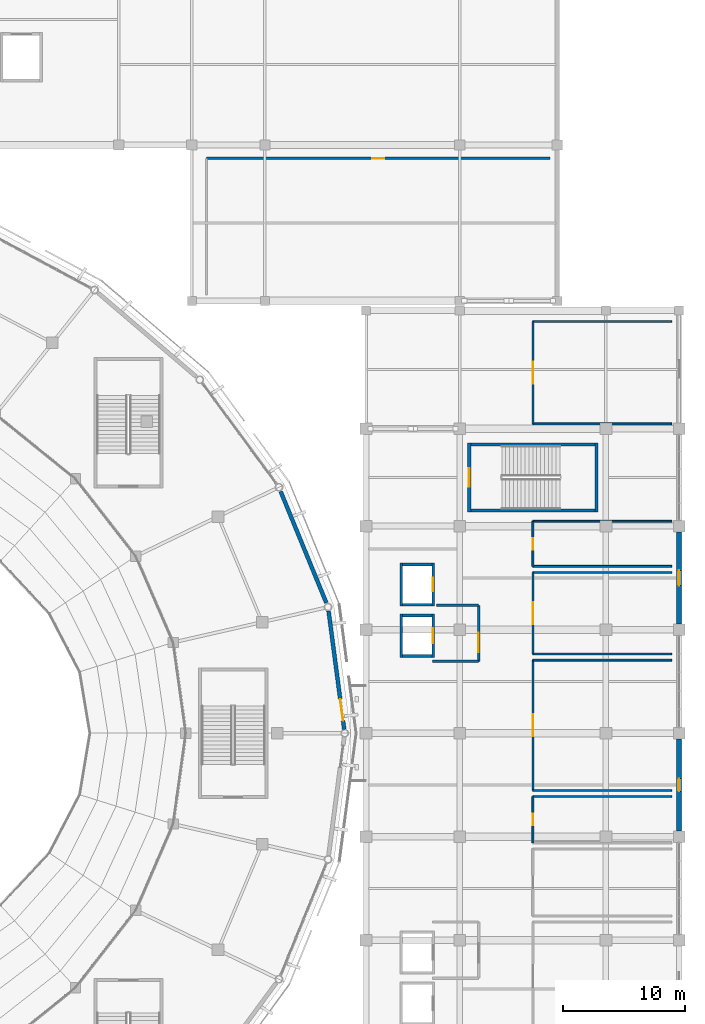
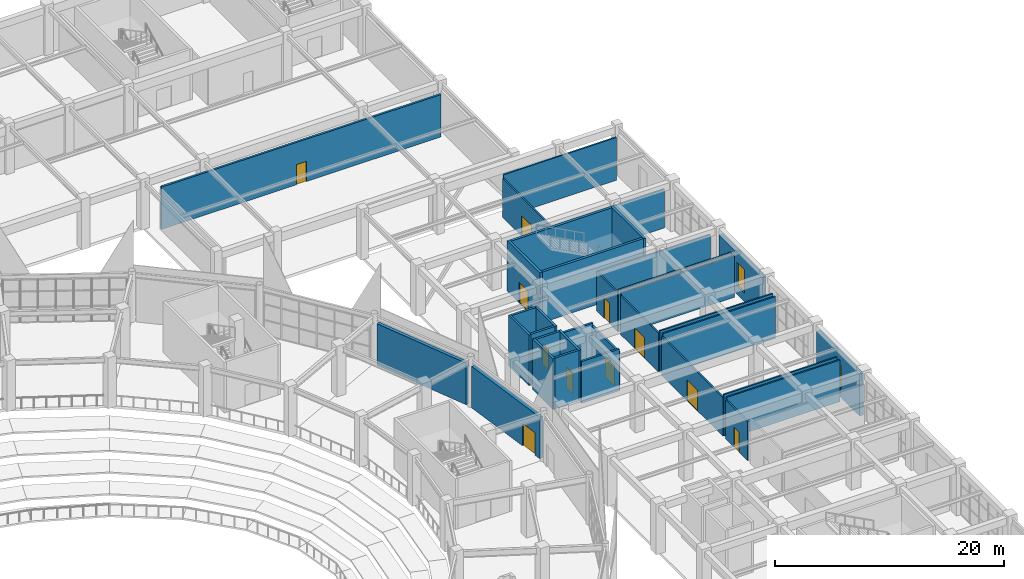
# One storey, part 82 of 120: 34 walls, 11 doors, 2 windows, 13 openings.
"""IFC4 building model written with IfcOpenShell, lengths in metres."""

from ifc_helpers import new_model, si_unit, direction, frame, frame_2d, origin, place, context, subcontext, project, spatial, rectangle, extrude, material, layer, layer_set, type_object, element, fill, save


model = new_model("IFC4")

# Units and contexts
model_context = context("Model", 3, precision=1e-05, world=origin(), true_north=direction((0.0, 1.0)))
body_context = subcontext(model_context, "Body", "Model", "MODEL_VIEW")
ifc_project = project(units=[si_unit("LENGTHUNIT", "METRE"), si_unit("AREAUNIT", "SQUARE_METRE"), si_unit("VOLUMEUNIT", "CUBIC_METRE"), si_unit("PLANEANGLEUNIT", "RADIAN"), si_unit("MASSUNIT", "GRAM", prefix="KILO")], contexts=[model_context])

# Site, building, storey
site_placement = place(None, origin())
site = spatial("IfcSite", under=ifc_project, at=site_placement, CompositionType="ELEMENT")
building_placement = place(site_placement, origin())
building = spatial("IfcBuilding", under=site, at=building_placement, Name="Cuetzalor Civic Arena", CompositionType="ELEMENT")
storey_placement = place(building_placement, frame((0.0, 0.0, 6.0)))
storey = spatial("IfcBuildingStorey", under=building, at=storey_placement, Name="L01", CompositionType="ELEMENT", Elevation=6.0)

# Wall
ifc_material_1 = material(Name="Acoustic steel-stud gypsum partition", Category="steel")
ifc_layer_1 = layer(ifc_material_1, 0.14990234375)
ifc_layer_set_1 = layer_set([ifc_layer_1], Name="Acoustic steel-stud gypsum partition")
wall_type_1 = type_object("IfcWallType", Name="AcousticGypsumPartition_150", PredefinedType="PARTITIONING", material=ifc_layer_set_1)
wall_1_placement = place(storey_placement, frame((70.0, -5.199951171875, 0.0), z_axis=(0.0, 0.0, 1.0), x_axis=(1.0, 0.0, 0.0)))
element("IfcWall", 1, at=wall_1_placement, inside=storey, type_object=wall_type_1, Name="Interior Partition IWALL:L01:0222", PredefinedType="PARTITIONING", context=body_context, shape_type="SweptSolid", body=[
    extrude(rectangle(XDim=11.39990234375, YDim=0.14990234375, at=frame_2d((5.699951171875, 0.0))), origin(), (0.0, 0.0, 1.0), 4.445068359375),
])

# Wall, opening, door
wall_2_placement = place(storey_placement, frame((70.0, -9.0, 0.0), z_axis=(0.0, 0.0, 1.0), x_axis=(0.0, 1.0, 0.0)))
wall_2 = element("IfcWall", 2, at=wall_2_placement, inside=storey, type_object=wall_type_1, Name="Interior Partition IWALL:L01:0224", PredefinedType="PARTITIONING", context=body_context, shape_type="SweptSolid", body=[
    extrude(rectangle(XDim=3.800048828125, YDim=0.14990234375, at=frame_2d((1.89990234375, 0.0))), origin(), (0.0, 0.0, 1.0), 4.14501953125),
])
opening_1_placement = place(wall_2_placement, frame((1.425048828125, 0.0, 0.0)))
opening_1 = element("IfcOpeningElement", 3, at=opening_1_placement, cuts=wall_2, Name="Opening ID-03", PredefinedType="OPENING", context=body_context, shape_type="SweptSolid", body=[
    extrude(rectangle(XDim=0.949951171875, YDim=2.14990234375, at=frame_2d((0.47509765625, 1.074951171875))), frame((0.0, 0.0849609375, 0.0), z_axis=(0.0, -1.0, 0.0), x_axis=(1.0, 0.0, 0.0)), (0.0, 0.0, 1.0), 0.169921875),
])
ifc_material_2 = material(Name="Painted steel frame and solid timber leaf", Category="steel")
door_type_1 = type_object("IfcDoorType", Name="InteriorSingleDoor_950x2150", OperationType="NOTDEFINED", PredefinedType="DOOR", material=ifc_material_2)
door_1_placement = place(opening_1_placement, origin())
door_1 = element("IfcDoor", 4, at=door_1_placement, inside=storey, type_object=door_type_1, Name="Door to Accessible WC East South L01", OperationType="SINGLE_SWING_LEFT", OverallHeight=2.14990234375, OverallWidth=0.949951171875, PredefinedType="DOOR", context=body_context, shape_type="SweptSolid", body=[
    extrude(rectangle(XDim=0.949951171875, YDim=2.14990234375, at=frame_2d((0.47509765625, 1.074951171875))), frame((0.0, 0.02490234375, 0.0), z_axis=(0.0, -1.0, 0.0), x_axis=(1.0, 0.0, 0.0)), (0.0, 0.0, 1.0), 0.050048828125),
])
fill(opening_1, door_1)

# Walls
for number, where, z_axis, x_axis, name in (
    (5, (70.0, 6.0, 0.0), (0.0, 0.0, 1.0), (1.0, 0.0, 0.0), "Interior Partition IWALL:L01:0225"),
    (6, (81.39990234375, -4.699951171875, 0.0), (0.0, 0.0, 1.0), (-1.0, 0.0, 0.0), "Interior Partition IWALL:L01:0226"),
):
    element("IfcWall", number, at=place(storey_placement, frame(where, z_axis=z_axis, x_axis=x_axis)), inside=storey, type_object=wall_type_1, Name=name, PredefinedType="PARTITIONING", context=body_context, shape_type="SweptSolid", body=[
        extrude(rectangle(XDim=11.39990234375, YDim=0.14990234375, at=frame_2d((5.699951171875, 0.0))), origin(), (0.0, 0.0, 1.0), 4.445068359375),
    ])

# Wall, opening, door
wall_3_placement = place(storey_placement, frame((70.0, -4.699951171875, 0.0), z_axis=(0.0, 0.0, 1.0), x_axis=(0.0, 1.0, 0.0)))
wall_3 = element("IfcWall", 7, at=wall_3_placement, inside=storey, type_object=wall_type_1, Name="Interior Partition IWALL:L01:0227", PredefinedType="PARTITIONING", context=body_context, shape_type="SweptSolid", body=[
    extrude(rectangle(XDim=10.699951171875, YDim=0.14990234375, at=frame_2d((5.35009765625, 0.0))), origin(), (0.0, 0.0, 1.0), 4.14501953125),
])
opening_2_placement = place(wall_3_placement, frame((4.449951171875, 0.0, 0.0)))
opening_2 = element("IfcOpeningElement", 8, at=opening_2_placement, cuts=wall_3, Name="Opening ID-06", PredefinedType="OPENING", context=body_context, shape_type="SweptSolid", body=[
    extrude(rectangle(XDim=1.800048828125, YDim=2.199951171875, at=frame_2d((0.89990234375, 1.10009765625))), frame((0.0, 0.0849609375, 0.0), z_axis=(0.0, -1.0, 0.0), x_axis=(1.0, 0.0, 0.0)), (0.0, 0.0, 1.0), 0.169921875),
])
ifc_material_3 = material(Name="Glazed bronze acoustic double door", Category="metal")
door_type_2 = type_object("IfcDoorType", Name="PublicDoubleDoor_1800x2200", OperationType="DOUBLE_DOOR_SINGLE_SWING", PredefinedType="DOOR", material=ifc_material_3)
door_2_placement = place(opening_2_placement, origin())
door_2 = element("IfcDoor", 9, at=door_2_placement, inside=storey, type_object=door_type_2, Name="Door to Hospitality Club Lounge East L01", OperationType="DOUBLE_DOOR_SINGLE_SWING", OverallHeight=2.199951171875, OverallWidth=1.800048828125, PredefinedType="DOOR", context=body_context, shape_type="SweptSolid", body=[
    extrude(rectangle(XDim=1.800048828125, YDim=2.199951171875, at=frame_2d((0.89990234375, 1.10009765625))), frame((0.0, 0.02490234375, 0.0), z_axis=(0.0, -1.0, 0.0), x_axis=(1.0, 0.0, 0.0)), (0.0, 0.0, 1.0), 0.050048828125),
])
fill(opening_2, door_2)

# Walls
for number, where, z_axis, x_axis, name in (
    (10, (70.0, 13.199951171875, 0.0), (0.0, 0.0, 1.0), (1.0, 0.0, 0.0), "Interior Partition IWALL:L01:0228"),
    (11, (81.39990234375, 6.5, 0.0), (0.0, 0.0, 1.0), (-1.0, 0.0, 0.0), "Interior Partition IWALL:L01:0229"),
):
    element("IfcWall", number, at=place(storey_placement, frame(where, z_axis=z_axis, x_axis=x_axis)), inside=storey, type_object=wall_type_1, Name=name, PredefinedType="PARTITIONING", context=body_context, shape_type="SweptSolid", body=[
        extrude(rectangle(XDim=11.39990234375, YDim=0.14990234375, at=frame_2d((5.699951171875, 0.0))), origin(), (0.0, 0.0, 1.0), 4.445068359375),
    ])

# Wall, opening, door
wall_4_placement = place(storey_placement, frame((70.0, 6.5, 0.0), z_axis=(0.0, 0.0, 1.0), x_axis=(0.0, 1.0, 0.0)))
wall_4 = element("IfcWall", 12, at=wall_4_placement, inside=storey, type_object=wall_type_1, Name="Interior Partition IWALL:L01:0230", PredefinedType="PARTITIONING", context=body_context, shape_type="SweptSolid", body=[
    extrude(rectangle(XDim=6.699951171875, YDim=0.14990234375, at=frame_2d((3.35009765625, 0.0))), origin(), (0.0, 0.0, 1.0), 4.14501953125),
])
opening_3_placement = place(wall_4_placement, frame((2.449951171875, 0.0, 0.0)))
opening_3 = element("IfcOpeningElement", 13, at=opening_3_placement, cuts=wall_4, Name="Opening ID-06", PredefinedType="OPENING", context=body_context, shape_type="SweptSolid", body=[
    extrude(rectangle(XDim=1.800048828125, YDim=2.199951171875, at=frame_2d((0.89990234375, 1.10009765625))), frame((0.0, 0.0849609375, 0.0), z_axis=(0.0, -1.0, 0.0), x_axis=(1.0, 0.0, 0.0)), (0.0, 0.0, 1.0), 0.169921875),
])
door_3_placement = place(opening_3_placement, origin())
door_3 = element("IfcDoor", 14, at=door_3_placement, inside=storey, type_object=door_type_2, Name="Door to Concessions Hall East North L01", OperationType="DOUBLE_DOOR_SINGLE_SWING", OverallHeight=2.199951171875, OverallWidth=1.800048828125, PredefinedType="DOOR", context=body_context, shape_type="SweptSolid", body=[
    extrude(rectangle(XDim=1.800048828125, YDim=2.199951171875, at=frame_2d((0.89990234375, 1.10009765625))), frame((0.0, 0.02490234375, 0.0), z_axis=(0.0, -1.0, 0.0), x_axis=(1.0, 0.0, 0.0)), (0.0, 0.0, 1.0), 0.050048828125),
])
fill(opening_3, door_3)

# Walls
wall_5_placement = place(storey_placement, frame((70.0, 17.39990234375, 0.0), z_axis=(0.0, 0.0, 1.0), x_axis=(1.0, 0.0, 0.0)))
element("IfcWall", 15, at=wall_5_placement, inside=storey, type_object=wall_type_1, Name="Interior Partition IWALL:L01:0231", PredefinedType="PARTITIONING", context=body_context, shape_type="SweptSolid", body=[
    extrude(rectangle(XDim=11.39990234375, YDim=0.14990234375, at=frame_2d((5.699951171875, 0.0))), origin(), (0.0, 0.0, 1.0), 4.14501953125),
])
wall_6_placement = place(storey_placement, frame((81.39990234375, 13.699951171875, 0.0), z_axis=(0.0, 0.0, 1.0), x_axis=(-1.0, 0.0, 0.0)))
element("IfcWall", 16, at=wall_6_placement, inside=storey, type_object=wall_type_1, Name="Interior Partition IWALL:L01:0232", PredefinedType="PARTITIONING", context=body_context, shape_type="SweptSolid", body=[
    extrude(rectangle(XDim=11.39990234375, YDim=0.14990234375, at=frame_2d((5.699951171875, 0.0))), origin(), (0.0, 0.0, 1.0), 4.445068359375),
])

# Wall, opening, door
wall_7_placement = place(storey_placement, frame((70.0, 13.699951171875, 0.0), z_axis=(0.0, 0.0, 1.0), x_axis=(0.0, 1.0, 0.0)))
wall_7 = element("IfcWall", 17, at=wall_7_placement, inside=storey, type_object=wall_type_1, Name="Interior Partition IWALL:L01:0233", PredefinedType="PARTITIONING", context=body_context, shape_type="SweptSolid", body=[
    extrude(rectangle(XDim=3.699951171875, YDim=0.14990234375, at=frame_2d((1.85009765625, 0.0))), origin(), (0.0, 0.0, 1.0), 4.14501953125),
])
opening_4_placement = place(wall_7_placement, frame((1.375, 0.0, 0.0)))
opening_4 = element("IfcOpeningElement", 18, at=opening_4_placement, cuts=wall_7, Name="Opening ID-03", PredefinedType="OPENING", context=body_context, shape_type="SweptSolid", body=[
    extrude(rectangle(XDim=0.949951171875, YDim=2.14990234375, at=frame_2d((0.47509765625, 1.074951171875))), frame((0.0, 0.0849609375, 0.0), z_axis=(0.0, -1.0, 0.0), x_axis=(1.0, 0.0, 0.0)), (0.0, 0.0, 1.0), 0.169921875),
])
door_4_placement = place(opening_4_placement, origin())
door_4 = element("IfcDoor", 19, at=door_4_placement, inside=storey, type_object=door_type_1, Name="Door to Public Restroom East North L01", OperationType="SINGLE_SWING_RIGHT", OverallHeight=2.14990234375, OverallWidth=0.949951171875, PredefinedType="DOOR", context=body_context, shape_type="SweptSolid", body=[
    extrude(rectangle(XDim=0.949951171875, YDim=2.14990234375, at=frame_2d((0.47509765625, 1.074951171875))), frame((0.0, 0.02490234375, 0.0), z_axis=(0.0, -1.0, 0.0), x_axis=(1.0, 0.0, 0.0)), (0.0, 0.0, 1.0), 0.050048828125),
])
fill(opening_4, door_4)

# Walls
wall_8_placement = place(storey_placement, frame((70.0, 33.800048828125, 0.0), z_axis=(0.0, 0.0, 1.0), x_axis=(1.0, 0.0, 0.0)))
element("IfcWall", 20, at=wall_8_placement, inside=storey, type_object=wall_type_1, Name="Interior Partition IWALL:L01:0234", PredefinedType="PARTITIONING", context=body_context, shape_type="SweptSolid", body=[
    extrude(rectangle(XDim=11.39990234375, YDim=0.14990234375, at=frame_2d((5.699951171875, 0.0))), origin(), (0.0, 0.0, 1.0), 4.56201171875),
])
wall_9_placement = place(storey_placement, frame((81.39990234375, 25.39990234375, 0.0), z_axis=(0.0, 0.0, 1.0), x_axis=(-1.0, 0.0, 0.0)))
element("IfcWall", 21, at=wall_9_placement, inside=storey, type_object=wall_type_1, Name="Interior Partition IWALL:L01:0235", PredefinedType="PARTITIONING", context=body_context, shape_type="SweptSolid", body=[
    extrude(rectangle(XDim=11.39990234375, YDim=0.14990234375, at=frame_2d((5.699951171875, 0.0))), origin(), (0.0, 0.0, 1.0), 4.14501953125),
])

# Wall, opening, door
wall_10_placement = place(storey_placement, frame((70.0, 25.39990234375, 0.0), z_axis=(0.0, 0.0, 1.0), x_axis=(0.0, 1.0, 0.0)))
wall_10 = element("IfcWall", 22, at=wall_10_placement, inside=storey, type_object=wall_type_1, Name="Interior Partition IWALL:L01:0236", PredefinedType="PARTITIONING", context=body_context, shape_type="SweptSolid", body=[
    extrude(rectangle(XDim=8.400146484375, YDim=0.14990234375, at=frame_2d((4.2001953125, 0.0))), origin(), (0.0, 0.0, 1.0), 4.14501953125),
])
opening_5_placement = place(wall_10_placement, frame((3.300048828125, 0.0, 0.0)))
opening_5 = element("IfcOpeningElement", 23, at=opening_5_placement, cuts=wall_10, Name="Opening ID-06", PredefinedType="OPENING", context=body_context, shape_type="SweptSolid", body=[
    extrude(rectangle(XDim=1.800048828125, YDim=2.199951171875, at=frame_2d((0.89990234375, 1.10009765625))), frame((0.0, 0.0849609375, 0.0), z_axis=(0.0, -1.0, 0.0), x_axis=(1.0, 0.0, 0.0)), (0.0, 0.0, 1.0), 0.169921875),
])
door_5_placement = place(opening_5_placement, origin())
door_5 = element("IfcDoor", 24, at=door_5_placement, inside=storey, type_object=door_type_2, Name="Door to VIP Salon East North L01", OperationType="DOUBLE_DOOR_SINGLE_SWING", OverallHeight=2.199951171875, OverallWidth=1.800048828125, PredefinedType="DOOR", context=body_context, shape_type="SweptSolid", body=[
    extrude(rectangle(XDim=1.800048828125, YDim=2.199951171875, at=frame_2d((0.89990234375, 1.10009765625))), frame((0.0, 0.02490234375, 0.0), z_axis=(0.0, -1.0, 0.0), x_axis=(1.0, 0.0, 0.0)), (0.0, 0.0, 1.0), 0.050048828125),
])
fill(opening_5, door_5)

ifc_material_4 = material(Name="Concrete C40/50", Category="concrete")
ifc_layer_2 = layer(ifc_material_4, 0.25)
ifc_layer_set_2 = layer_set([ifc_layer_2], Name="Concrete C40/50")
wall_type_2 = type_object("IfcWallType", Name="ConcreteCoreShearWall_250", PredefinedType="SHEAR", material=ifc_layer_set_2)
wall_11_placement = place(storey_placement, frame((64.77490234375, 18.14990234375, 0.0), z_axis=(0.0, 0.0, 1.0), x_axis=(0.0, 1.0, 0.0)))
wall_11 = element("IfcWall", 25, at=wall_11_placement, inside=storey, type_object=wall_type_2, Name="Stair Core Shear Wall ST-22-L01-W", PredefinedType="SHEAR", context=body_context, shape_type="SweptSolid", body=[
    extrude(rectangle(XDim=5.7001953125, YDim=0.25, at=frame_2d((2.85009765625, 0.0))), origin(), (0.0, 0.0, 1.0), 5.39990234375),
])
opening_6_placement = place(wall_11_placement, frame((2.10009765625, 0.0, 0.0)))
opening_6 = element("IfcOpeningElement", 26, at=opening_6_placement, cuts=wall_11, Name="Opening FD-03", PredefinedType="OPENING", context=body_context, shape_type="SweptSolid", body=[
    extrude(rectangle(XDim=1.5, YDim=2.199951171875, at=frame_2d((0.75, 1.10009765625))), frame((0.0, 0.135009765625, 0.0), z_axis=(0.0, -1.0, 0.0), x_axis=(1.0, 0.0, 0.0)), (0.0, 0.0, 1.0), 0.27001953125),
])
ifc_material_5 = material(Name="Fire-rated steel stair exit double door", Category="steel")
door_type_3 = type_object("IfcDoorType", Name="StairFireDoubleDoor_1500x2200", OperationType="DOUBLE_DOOR_SINGLE_SWING", PredefinedType="DOOR", material=ifc_material_5)
door_6_placement = place(opening_6_placement, origin())
door_6 = element("IfcDoor", 27, at=door_6_placement, inside=storey, type_object=door_type_3, Name="Fire Stair Door ST-22 L01", OperationType="DOUBLE_DOOR_SINGLE_SWING", OverallHeight=2.199951171875, OverallWidth=1.5, PredefinedType="DOOR", context=body_context, shape_type="SweptSolid", body=[
    extrude(rectangle(XDim=1.5, YDim=2.199951171875, at=frame_2d((0.75, 1.10009765625))), frame((0.0, 0.02490234375, 0.0), z_axis=(0.0, -1.0, 0.0), x_axis=(1.0, 0.0, 0.0)), (0.0, 0.0, 1.0), 0.050048828125),
])
fill(opening_6, door_6)

# Walls
wall_12_placement = place(storey_placement, frame((64.89990234375, 23.72509765625, 0.0), z_axis=(0.0, 0.0, 1.0), x_axis=(1.0, 0.0, 0.0)))
element("IfcWall", 28, at=wall_12_placement, inside=storey, type_object=wall_type_2, Name="Stair Core Shear Wall ST-22-L01-N", PredefinedType="SHEAR", context=body_context, shape_type="SweptSolid", body=[
    extrude(rectangle(XDim=10.2001953125, YDim=0.25, at=frame_2d((5.10009765625, 0.0))), origin(), (0.0, 0.0, 1.0), 5.39990234375),
])
wall_13_placement = place(storey_placement, frame((75.22509765625, 23.85009765625, 0.0), z_axis=(0.0, 0.0, 1.0), x_axis=(0.0, -1.0, 0.0)))
element("IfcWall", 29, at=wall_13_placement, inside=storey, type_object=wall_type_2, Name="Stair Core Shear Wall ST-22-L01-E", PredefinedType="SHEAR", context=body_context, shape_type="SweptSolid", body=[
    extrude(rectangle(XDim=5.7001953125, YDim=0.25, at=frame_2d((2.85009765625, 0.0))), origin(), (0.0, 0.0, 1.0), 5.39990234375),
])
wall_14_placement = place(storey_placement, frame((75.10009765625, 18.27490234375, 0.0), z_axis=(0.0, 0.0, 1.0), x_axis=(-1.0, 0.0, 0.0)))
element("IfcWall", 30, at=wall_14_placement, inside=storey, type_object=wall_type_2, Name="Stair Core Shear Wall ST-22-L01-S", PredefinedType="SHEAR", context=body_context, shape_type="SweptSolid", body=[
    extrude(rectangle(XDim=10.2001953125, YDim=0.25, at=frame_2d((5.10009765625, 0.0))), origin(), (0.0, 0.0, 1.0), 5.39990234375),
])

# Wall, opening, door
ifc_material_6 = material(Name="Fire-rated masonry and gypsum partition", Category="masonry")
ifc_layer_3 = layer(ifc_material_6, 0.199951171875)
ifc_layer_set_3 = layer_set([ifc_layer_3], Name="Fire-rated masonry and gypsum partition")
wall_type_3 = type_object("IfcWallType", Name="FireCompartmentWall_200", PredefinedType="PARTITIONING", material=ifc_layer_set_3)
wall_15_placement = place(storey_placement, frame((65.550048828125, 10.5, 0.0), z_axis=(0.0, 0.0, 1.0), x_axis=(0.0, -1.0, 0.0)))
wall_15 = element("IfcWall", 31, at=wall_15_placement, inside=storey, type_object=wall_type_3, Name="Interior Partition IWALL:L01:0058", PredefinedType="PARTITIONING", context=body_context, shape_type="SweptSolid", body=[
    extrude(rectangle(XDim=4.60009765625, YDim=0.199951171875, at=frame_2d((2.300048828125, 0.0))), origin(), (0.0, 0.0, 1.0), 4.14501953125),
])
opening_7_placement = place(wall_15_placement, frame((2.25, 0.0, 0.0)))
opening_7 = element("IfcOpeningElement", 32, at=opening_7_placement, cuts=wall_15, Name="Opening FD-05", PredefinedType="OPENING", context=body_context, shape_type="SweptSolid", body=[
    extrude(rectangle(XDim=1.60009765625, YDim=2.199951171875, at=frame_2d((0.800048828125, 1.10009765625))), frame((0.0, 0.10986328125, 0.0), z_axis=(0.0, -1.0, 0.0), x_axis=(1.0, 0.0, 0.0)), (0.0, 0.0, 1.0), 0.219970703125),
])
ifc_material_7 = material(Name="Fire-rated smoke-seal lobby double door", Category="steel")
door_type_4 = type_object("IfcDoorType", Name="FireLobbyDoubleDoor_1600x2200", OperationType="DOUBLE_DOOR_SINGLE_SWING", PredefinedType="DOOR", material=ifc_material_7)
door_7_placement = place(opening_7_placement, origin())
door_7 = element("IfcDoor", 33, at=door_7_placement, inside=storey, type_object=door_type_4, Name="Door to Firefighting Lift Lobby LF-04 L01", OperationType="DOUBLE_DOOR_SINGLE_SWING", OverallHeight=2.199951171875, OverallWidth=1.60009765625, PredefinedType="DOOR", context=body_context, shape_type="SweptSolid", body=[
    extrude(rectangle(XDim=1.60009765625, YDim=2.199951171875, at=frame_2d((0.800048828125, 1.10009765625))), frame((0.0, 0.02490234375, 0.0), z_axis=(0.0, -1.0, 0.0), x_axis=(1.0, 0.0, 0.0)), (0.0, 0.0, 1.0), 0.050048828125),
])
fill(opening_7, door_7)

# Walls
wall_16_placement = place(storey_placement, frame((62.070068359375, 10.5, 0.0), z_axis=(0.0, 0.0, 1.0), x_axis=(1.0, 0.0, 0.0)))
element("IfcWall", 34, at=wall_16_placement, inside=storey, type_object=wall_type_3, Name="Interior Partition IWALL:L01:0059", PredefinedType="PARTITIONING", context=body_context, shape_type="SweptSolid", body=[
    extrude(rectangle(XDim=3.47998046875, YDim=0.199951171875, at=frame_2d((1.739990234375, 0.0))), origin(), (0.0, 0.0, 1.0), 4.445068359375),
])
wall_17_placement = place(storey_placement, frame((65.550048828125, 5.89990234375, 0.0), z_axis=(0.0, 0.0, 1.0), x_axis=(-1.0, 0.0, 0.0)))
element("IfcWall", 35, at=wall_17_placement, inside=storey, type_object=wall_type_3, Name="Interior Partition IWALL:L01:0060", PredefinedType="PARTITIONING", context=body_context, shape_type="SweptSolid", body=[
    extrude(rectangle(XDim=3.800048828125, YDim=0.199951171875, at=frame_2d((1.89990234375, 0.0))), origin(), (0.0, 0.0, 1.0), 4.445068359375),
])

# Wall, opening, door
wall_18_placement = place(storey_placement, frame((43.199951171875, 47.199951171875, 0.0), z_axis=(0.0, 0.0, 1.0), x_axis=(1.0, 0.0, 0.0)))
wall_18 = element("IfcWall", 36, at=wall_18_placement, inside=storey, type_object=wall_type_3, Name="Interior Partition IWALL:L01:0258", PredefinedType="PARTITIONING", context=body_context, shape_type="SweptSolid", body=[
    extrude(rectangle(XDim=28.199951171875, YDim=0.199951171875, at=frame_2d((14.10009765625, 0.0))), origin(), (0.0, 0.0, 1.0), 4.52197265625),
])
opening_8_placement = place(wall_18_placement, frame((13.60009765625, 0.0, 0.0)))
opening_8 = element("IfcOpeningElement", 37, at=opening_8_placement, cuts=wall_18, Name="Opening FD-01", PredefinedType="OPENING", context=body_context, shape_type="SweptSolid", body=[
    extrude(rectangle(XDim=1.0, YDim=2.14990234375, at=frame_2d((0.5, 1.074951171875))), frame((0.0, 0.10986328125, 0.0), z_axis=(0.0, -1.0, 0.0), x_axis=(1.0, 0.0, 0.0)), (0.0, 0.0, 1.0), 0.219970703125),
])
ifc_material_8 = material(Name="Fire-rated insulated steel door", Category="steel")
door_type_5 = type_object("IfcDoorType", Name="FireSingleDoor_1000x2150", OperationType="NOTDEFINED", PredefinedType="DOOR", material=ifc_material_8)
door_8_placement = place(opening_8_placement, origin())
door_8 = element("IfcDoor", 38, at=door_8_placement, inside=storey, type_object=door_type_5, Name="Door to AHU Plant Room East L01", OperationType="SINGLE_SWING_LEFT", OverallHeight=2.14990234375, OverallWidth=1.0, PredefinedType="DOOR", context=body_context, shape_type="SweptSolid", body=[
    extrude(rectangle(XDim=1.0, YDim=2.14990234375, at=frame_2d((0.5, 1.074951171875))), frame((0.0, 0.02490234375, 0.0), z_axis=(0.0, -1.0, 0.0), x_axis=(1.0, 0.0, 0.0)), (0.0, 0.0, 1.0), 0.050048828125),
])
fill(opening_8, door_8)

ifc_material_9 = material(Name="Precast concrete C40/50 insulated cladding", Category="concrete")
ifc_layer_4 = layer(ifc_material_9, 0.320068359375)
ifc_layer_set_4 = layer_set([ifc_layer_4], Name="Precast concrete C40/50 insulated cladding")
wall_type_4 = type_object("IfcWallType", Name="InsulatedPrecastWall_320", PredefinedType="SOLIDWALL", material=ifc_layer_set_4)
wall_19_placement = place(storey_placement, frame((53.224853515625, 10.036865234375, 0.0), z_axis=(0.0, 0.0, 1.0), x_axis=(0.130894016981, -0.991396366908, 0.0)))
wall_19 = element("IfcWall", 39, at=wall_19_placement, inside=storey, type_object=wall_type_4, Name="Drum Acoustic Backing Wall L01-009", PredefinedType="SOLIDWALL", context=body_context, shape_type="SweptSolid", body=[
    extrude(rectangle(XDim=9.799560546875, YDim=0.320068359375, at=frame_2d((4.89990234375, 0.0))), origin(), (0.0, 0.0, 1.0), 4.431884765625),
])
opening_9_placement = place(wall_19_placement, frame((7.299560546875, 0.0, 0.0)))
opening_9 = element("IfcOpeningElement", 40, at=opening_9_placement, cuts=wall_19, Name="Opening ED-09", PredefinedType="OPENING", context=body_context, shape_type="SweptSolid", body=[
    extrude(rectangle(XDim=1.800048828125, YDim=2.39990234375, at=frame_2d((0.89990234375, 1.199951171875))), frame((0.0, 0.169921875, 0.0), z_axis=(0.0, -1.0, 0.0), x_axis=(1.0, 0.0, 0.0)), (0.0, 0.0, 1.0), 0.340087890625),
])
ifc_material_10 = material(Name="Thermally broken bronze steel and laminated glass", Category="steel")
door_type_6 = type_object("IfcDoorType", Name="RoofGardenGlazedDoor_1800x2400", OperationType="DOUBLE_DOOR_SINGLE_SWING", PredefinedType="DOOR", material=ifc_material_10)
door_9_placement = place(opening_9_placement, origin())
door_9 = element("IfcDoor", 41, at=door_9_placement, inside=storey, type_object=door_type_6, Name="Seismic Bridge Circulation Door L01-S01", OperationType="DOUBLE_DOOR_SINGLE_SWING", OverallHeight=2.39990234375, OverallWidth=1.800048828125, PredefinedType="DOOR", context=body_context, shape_type="SweptSolid", body=[
    extrude(rectangle(XDim=1.800048828125, YDim=2.39990234375, at=frame_2d((0.89990234375, 1.199951171875))), frame((0.0, 0.02490234375, 0.0), z_axis=(0.0, -1.0, 0.0), x_axis=(1.0, 0.0, 0.0)), (0.0, 0.0, 1.0), 0.050048828125),
])
fill(opening_9, door_9)

# Walls
wall_20_placement = place(storey_placement, frame((49.2919921875, 19.845703125, 0.0), z_axis=(0.0, 0.0, 1.0), x_axis=(0.379382703047, -0.925239841678, 0.0)))
element("IfcWall", 42, at=wall_20_placement, inside=storey, type_object=wall_type_4, Name="Drum Acoustic Backing Wall L01-010", PredefinedType="SOLIDWALL", context=body_context, shape_type="SweptSolid", body=[
    extrude(rectangle(XDim=9.874267578125, YDim=0.320068359375, at=frame_2d((4.93701171875, 0.0))), origin(), (0.0, 0.0, 1.0), 4.431884765625),
])
ifc_material_11 = material(Name="Concrete C40/50", Category="concrete")
ifc_layer_5 = layer(ifc_material_11, 0.219970703125)
ifc_layer_set_5 = layer_set([ifc_layer_5], Name="Concrete C40/50")
wall_type_5 = type_object("IfcWallType", Name="LiftShaftShearWall_220", PredefinedType="SHEAR", material=ifc_layer_set_5)
wall_21_placement = place(storey_placement, frame((59.18994140625, 6.22998046875, 0.0), z_axis=(0.0, 0.0, 1.0), x_axis=(0.0, 1.0, 0.0)))
element("IfcWall", 43, at=wall_21_placement, inside=storey, type_object=wall_type_5, Name="Lift Shaft Wall LF-04-L01-W", PredefinedType="SHEAR", context=body_context, shape_type="SweptSolid", body=[
    extrude(rectangle(XDim=3.5400390625, YDim=0.219970703125, at=frame_2d((1.77001953125, 0.0))), origin(), (0.0, 0.0, 1.0), 5.39990234375),
])
wall_22_placement = place(storey_placement, frame((59.300048828125, 9.659912109375, 0.0), z_axis=(0.0, 0.0, 1.0), x_axis=(1.0, 0.0, 0.0)))
element("IfcWall", 44, at=wall_22_placement, inside=storey, type_object=wall_type_5, Name="Lift Shaft Wall LF-04-L01-N", PredefinedType="SHEAR", context=body_context, shape_type="SweptSolid", body=[
    extrude(rectangle(XDim=2.39990234375, YDim=0.219970703125, at=frame_2d((1.199951171875, 0.0))), origin(), (0.0, 0.0, 1.0), 5.39990234375),
])

# Wall, opening, door
wall_23_placement = place(storey_placement, frame((61.81005859375, 9.77001953125, 0.0), z_axis=(0.0, 0.0, 1.0), x_axis=(0.0, -1.0, 0.0)))
wall_23 = element("IfcWall", 45, at=wall_23_placement, inside=storey, type_object=wall_type_5, Name="Lift Shaft Wall LF-04-L01-E", PredefinedType="SHEAR", context=body_context, shape_type="SweptSolid", body=[
    extrude(rectangle(XDim=3.5400390625, YDim=0.219970703125, at=frame_2d((1.77001953125, 0.0))), origin(), (0.0, 0.0, 1.0), 5.39990234375),
])
opening_10_placement = place(wall_23_placement, frame((1.169921875, 0.0, 0.0)))
opening_10 = element("IfcOpeningElement", 46, at=opening_10_placement, cuts=wall_23, Name="Opening LD-02", PredefinedType="OPENING", context=body_context, shape_type="SweptSolid", body=[
    extrude(rectangle(XDim=1.199951171875, YDim=2.199951171875, at=frame_2d((0.60009765625, 1.10009765625))), frame((0.0, 0.1201171875, 0.0), z_axis=(0.0, -1.0, 0.0), x_axis=(1.0, 0.0, 0.0)), (0.0, 0.0, 1.0), 0.239990234375),
])
ifc_material_12 = material(Name="Fire-rated stainless steel sliding lift landing door", Category="steel")
door_type_7 = type_object("IfcDoorType", Name="LiftLandingSlidingDoor_1200x2200", OperationType="SLIDING_TO_LEFT", PredefinedType="DOOR", material=ifc_material_12)
door_10_placement = place(opening_10_placement, origin())
door_10 = element("IfcDoor", 47, at=door_10_placement, inside=storey, type_object=door_type_7, Name="Lift Landing Sliding Door LF-04 L01", OperationType="SLIDING_TO_LEFT", OverallHeight=2.199951171875, OverallWidth=1.199951171875, PredefinedType="DOOR", context=body_context, shape_type="SweptSolid", body=[
    extrude(rectangle(XDim=1.199951171875, YDim=2.199951171875, at=frame_2d((0.60009765625, 1.10009765625))), frame((0.0, 0.02490234375, 0.0), z_axis=(0.0, -1.0, 0.0), x_axis=(1.0, 0.0, 0.0)), (0.0, 0.0, 1.0), 0.050048828125),
])
fill(opening_10, door_10)

# Walls
wall_24_placement = place(storey_placement, frame((61.699951171875, 6.340087890625, 0.0), z_axis=(0.0, 0.0, 1.0), x_axis=(-1.0, 0.0, 0.0)))
element("IfcWall", 48, at=wall_24_placement, inside=storey, type_object=wall_type_5, Name="Lift Shaft Wall LF-04-L01-S", PredefinedType="SHEAR", context=body_context, shape_type="SweptSolid", body=[
    extrude(rectangle(XDim=2.39990234375, YDim=0.219970703125, at=frame_2d((1.199951171875, 0.0))), origin(), (0.0, 0.0, 1.0), 5.39990234375),
])
wall_25_placement = place(storey_placement, frame((59.18994140625, 10.429931640625, 0.0), z_axis=(0.0, 0.0, 1.0), x_axis=(0.0, 1.0, 0.0)))
element("IfcWall", 49, at=wall_25_placement, inside=storey, type_object=wall_type_5, Name="Lift Shaft Wall LP-06-L01-W", PredefinedType="SHEAR", context=body_context, shape_type="SweptSolid", body=[
    extrude(rectangle(XDim=3.5400390625, YDim=0.219970703125, at=frame_2d((1.77001953125, 0.0))), origin(), (0.0, 0.0, 1.0), 5.39990234375),
])
wall_26_placement = place(storey_placement, frame((59.300048828125, 13.860107421875, 0.0), z_axis=(0.0, 0.0, 1.0), x_axis=(1.0, 0.0, 0.0)))
element("IfcWall", 50, at=wall_26_placement, inside=storey, type_object=wall_type_5, Name="Lift Shaft Wall LP-06-L01-N", PredefinedType="SHEAR", context=body_context, shape_type="SweptSolid", body=[
    extrude(rectangle(XDim=2.39990234375, YDim=0.219970703125, at=frame_2d((1.199951171875, 0.0))), origin(), (0.0, 0.0, 1.0), 5.39990234375),
])

# Wall, opening, door
wall_27_placement = place(storey_placement, frame((61.81005859375, 13.969970703125, 0.0), z_axis=(0.0, 0.0, 1.0), x_axis=(0.0, -1.0, 0.0)))
wall_27 = element("IfcWall", 51, at=wall_27_placement, inside=storey, type_object=wall_type_5, Name="Lift Shaft Wall LP-06-L01-E", PredefinedType="SHEAR", context=body_context, shape_type="SweptSolid", body=[
    extrude(rectangle(XDim=3.5400390625, YDim=0.219970703125, at=frame_2d((1.77001953125, 0.0))), origin(), (0.0, 0.0, 1.0), 5.39990234375),
])
opening_11_placement = place(wall_27_placement, frame((1.219970703125, 0.0, 0.0)))
opening_11 = element("IfcOpeningElement", 52, at=opening_11_placement, cuts=wall_27, Name="Opening LD-01", PredefinedType="OPENING", context=body_context, shape_type="SweptSolid", body=[
    extrude(rectangle(XDim=1.10009765625, YDim=2.199951171875, at=frame_2d((0.550048828125, 1.10009765625))), frame((0.0, 0.1201171875, 0.0), z_axis=(0.0, -1.0, 0.0), x_axis=(1.0, 0.0, 0.0)), (0.0, 0.0, 1.0), 0.239990234375),
])
ifc_material_13 = material(Name="Brushed stainless steel sliding lift landing door", Category="steel")
door_type_8 = type_object("IfcDoorType", Name="LiftLandingSlidingDoor_1100x2200", OperationType="SLIDING_TO_LEFT", PredefinedType="DOOR", material=ifc_material_13)
door_11_placement = place(opening_11_placement, origin())
door_11 = element("IfcDoor", 53, at=door_11_placement, inside=storey, type_object=door_type_8, Name="Lift Landing Sliding Door LP-06 L01", OperationType="SLIDING_TO_LEFT", OverallHeight=2.199951171875, OverallWidth=1.10009765625, PredefinedType="DOOR", context=body_context, shape_type="SweptSolid", body=[
    extrude(rectangle(XDim=1.10009765625, YDim=2.199951171875, at=frame_2d((0.550048828125, 1.10009765625))), frame((0.0, 0.02490234375, 0.0), z_axis=(0.0, -1.0, 0.0), x_axis=(1.0, 0.0, 0.0)), (0.0, 0.0, 1.0), 0.050048828125),
])
fill(opening_11, door_11)

# Wall
wall_28_placement = place(storey_placement, frame((61.699951171875, 10.5400390625, 0.0), z_axis=(0.0, 0.0, 1.0), x_axis=(-1.0, 0.0, 0.0)))
element("IfcWall", 54, at=wall_28_placement, inside=storey, type_object=wall_type_5, Name="Lift Shaft Wall LP-06-L01-S", PredefinedType="SHEAR", context=body_context, shape_type="SweptSolid", body=[
    extrude(rectangle(XDim=2.39990234375, YDim=0.219970703125, at=frame_2d((1.199951171875, 0.0))), origin(), (0.0, 0.0, 1.0), 5.39990234375),
])

# Wall, opening, window
ifc_material_14 = material(Name="Polychrome Talavera ceramic on Concrete C35/45", Category="concrete")
ifc_layer_6 = layer(ifc_material_14, 0.3798828125)
ifc_layer_set_6 = layer_set([ifc_layer_6], Name="Polychrome Talavera ceramic on Concrete C35/45")
wall_type_6 = type_object("IfcWallType", Name="TalaveraSpandrelWall_380", PredefinedType="SOLIDWALL", material=ifc_layer_set_6)
wall_29_placement = place(storey_placement, frame((82.0, -0.45703125, 0.0), z_axis=(0.0, 0.0, 1.0), x_axis=(0.0, -1.0, 0.0)))
wall_29 = element("IfcWall", 55, at=wall_29_placement, inside=storey, type_object=wall_type_6, Name="V4E Outer Talavera Wall L01-161", PredefinedType="SOLIDWALL", context=body_context, shape_type="SweptSolid", body=[
    extrude(rectangle(XDim=7.5859375, YDim=0.3798828125, at=frame_2d((3.79296875, 0.0))), origin(), (0.0, 0.0, 1.0), 4.4599609375),
])
opening_12_placement = place(wall_29_placement, frame((3.26806640625, 0.0, 0.89990234375)))
opening_12 = element("IfcOpeningElement", 56, at=opening_12_placement, cuts=wall_29, Name="Opening WN-46", PredefinedType="OPENING", context=body_context, shape_type="SweptSolid", body=[
    extrude(rectangle(XDim=1.050048828125, YDim=2.5, at=frame_2d((0.52490234375, 1.25))), frame((0.0, 0.199951171875, 0.0), z_axis=(0.0, -1.0, 0.0), x_axis=(1.0, 0.0, 0.0)), (0.0, 0.0, 1.0), 0.39990234375),
])
ifc_material_15 = material(Name="Anodised bronze aluminium and low-E solar glass", Category="aluminium")
window_type_1 = type_object("IfcWindowType", Name="BronzeThermalWindow_1050x2500", PartitioningType="SINGLE_PANEL", PredefinedType="WINDOW", material=ifc_material_15)
window_1_placement = place(opening_12_placement, origin())
window_1 = element("IfcWindow", 57, at=window_1_placement, inside=storey, type_object=window_type_1, Name="V4E Facade Window L01-0046", OverallHeight=2.5, OverallWidth=1.050048828125, PartitioningType="SINGLE_PANEL", PredefinedType="WINDOW", context=body_context, shape_type="SweptSolid", body=[
    extrude(rectangle(XDim=1.050048828125, YDim=2.5, at=frame_2d((0.52490234375, 1.25))), frame((0.0, 0.030029296875, 0.0), z_axis=(0.0, -1.0, 0.0), x_axis=(1.0, 0.0, 0.0)), (0.0, 0.0, 1.0), 0.06005859375),
])
fill(opening_12, window_1)

wall_30_placement = place(storey_placement, frame((82.0, 16.54296875, 0.0), z_axis=(0.0, 0.0, 1.0), x_axis=(0.0, -1.0, 0.0)))
wall_30 = element("IfcWall", 58, at=wall_30_placement, inside=storey, type_object=wall_type_6, Name="V4E Outer Talavera Wall L01-162", PredefinedType="SOLIDWALL", context=body_context, shape_type="SweptSolid", body=[
    extrude(rectangle(XDim=7.5859375, YDim=0.3798828125, at=frame_2d((3.79296875, 0.0))), origin(), (0.0, 0.0, 1.0), 4.4599609375),
])
opening_13_placement = place(wall_30_placement, frame((3.16796875, 0.0, 0.89990234375)))
opening_13 = element("IfcOpeningElement", 59, at=opening_13_placement, cuts=wall_30, Name="Opening WN-47", PredefinedType="OPENING", context=body_context, shape_type="SweptSolid", body=[
    extrude(rectangle(XDim=1.25, YDim=2.5, at=frame_2d((0.625, 1.25))), frame((0.0, 0.199951171875, 0.0), z_axis=(0.0, -1.0, 0.0), x_axis=(1.0, 0.0, 0.0)), (0.0, 0.0, 1.0), 0.39990234375),
])
ifc_material_16 = material(Name="Anodised bronze aluminium and low-E solar glass", Category="aluminium")
window_type_2 = type_object("IfcWindowType", Name="BronzeThermalWindow_1250x2500", PartitioningType="SINGLE_PANEL", PredefinedType="WINDOW", material=ifc_material_16)
window_2_placement = place(opening_13_placement, origin())
window_2 = element("IfcWindow", 60, at=window_2_placement, inside=storey, type_object=window_type_2, Name="V4E Facade Window L01-0047", OverallHeight=2.5, OverallWidth=1.25, PartitioningType="SINGLE_PANEL", PredefinedType="WINDOW", context=body_context, shape_type="SweptSolid", body=[
    extrude(rectangle(XDim=1.25, YDim=2.5, at=frame_2d((0.625, 1.25))), frame((0.0, 0.030029296875, 0.0), z_axis=(0.0, -1.0, 0.0), x_axis=(1.0, 0.0, 0.0)), (0.0, 0.0, 1.0), 0.06005859375),
])
fill(opening_13, window_2)

save(model, "model.ifc")
